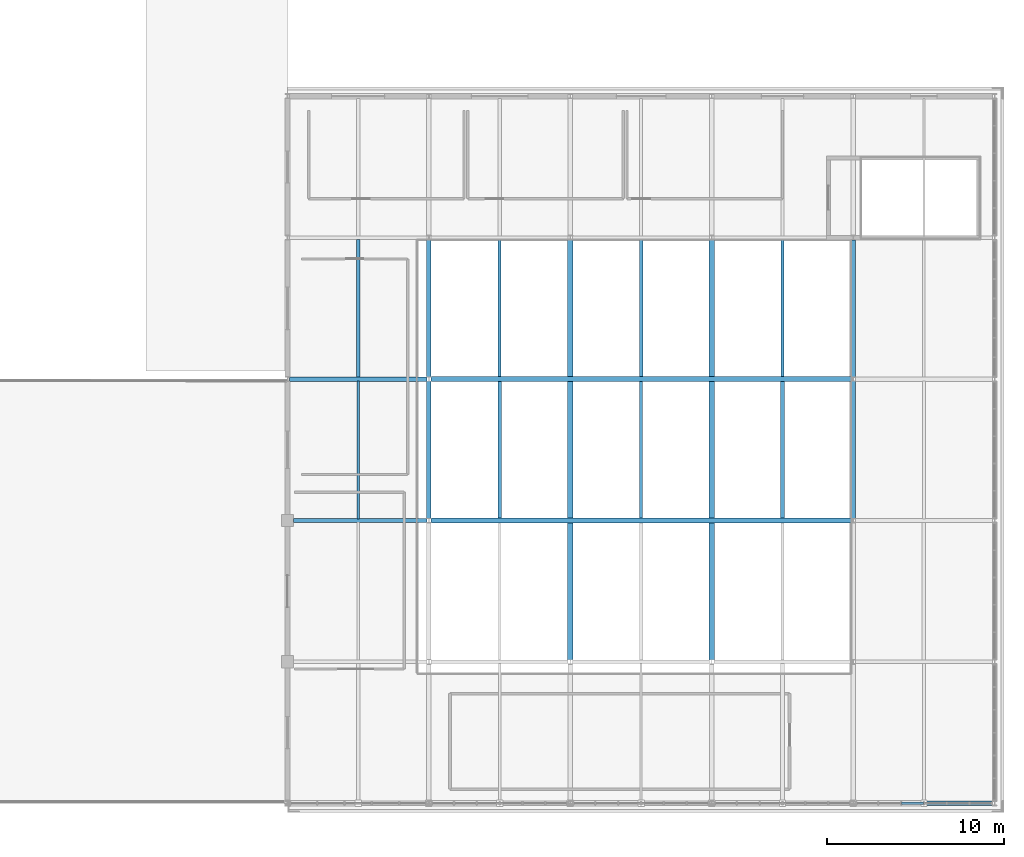
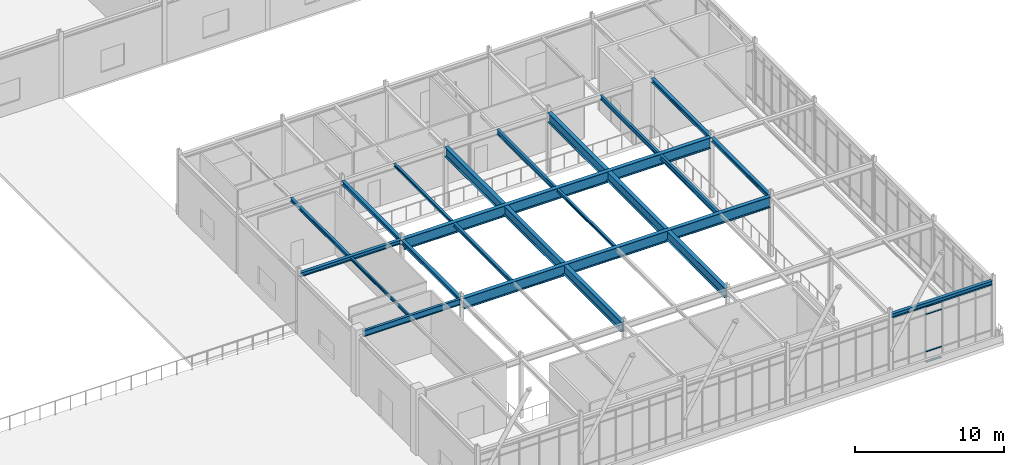
# One storey, part 51 of 108: 19 beams, 4 members, 1 element without a shape of its own.
"""IFC4 building model written with IfcOpenShell, lengths in metres."""

from ifc_helpers import new_model, si_unit, direction, frame, origin, origin_2d, place, context, subcontext, project, spatial, rectangle, i_section, extrude, material, material_profile, profile_set, type_object, element, aggregate, save


model = new_model("IFC4")

# Units and contexts
model_context = context("Model", 3, precision=1e-05, world=origin(), true_north=direction((0.0, 1.0)))
body_context = subcontext(model_context, "Body", "Model", "MODEL_VIEW")
ifc_project = project(units=[si_unit("LENGTHUNIT", "METRE"), si_unit("AREAUNIT", "SQUARE_METRE"), si_unit("VOLUMEUNIT", "CUBIC_METRE"), si_unit("PLANEANGLEUNIT", "RADIAN"), si_unit("MASSUNIT", "GRAM", prefix="KILO")], contexts=[model_context])

# Site, building, storey
site_placement = place(None, origin())
site = spatial("IfcSite", under=ifc_project, at=site_placement, CompositionType="ELEMENT")
building_placement = place(site_placement, origin())
building = spatial("IfcBuilding", under=site, at=building_placement, Name="Zhaolan Boulevard Law Courts", CompositionType="ELEMENT")
storey_placement = place(building_placement, frame((0.0, 0.0, 10.800048828125)))
storey = spatial("IfcBuildingStorey", under=building, at=storey_placement, Name="L02", CompositionType="ELEMENT", Elevation=10.800048828125)

# Curtain wall, members
ifc_material_1 = material(Name="Thermally broken aluminium and low-E glazing", Category="aluminium")
curtain_wall_type = type_object("IfcCurtainWallType", Name="CURTAIN WALL M14", PredefinedType="USERDEFINED", material=ifc_material_1)
curtain_wall_placement = place(storey_placement, origin())
curtain_wall = element("IfcCurtainWall", 1, at=curtain_wall_placement, inside=storey, type_object=curtain_wall_type, Name="Curtain Wall CW-L02-086", ObjectType="CURTAIN WALL", PredefinedType="USERDEFINED")
ifc_material_2 = material(Name="Fluorocarbon-coated aluminium 6063-T6", Category="aluminium")
ifc_material_profile_1 = material_profile(ifc_material_2, rectangle(XDim=0.139892578125, YDim=0.06494140625, at=origin_2d()), Name="AL65x140")
ifc_profile_set_1 = profile_set([ifc_material_profile_1], Name="Fluorocarbon-coated aluminium 6063-T6")
member_type = type_object("IfcMemberType", Name="CWTRANSOM 65X140", PredefinedType="USERDEFINED", material=ifc_profile_set_1)
member_1_placement = place(storey_placement, frame((158.741455078125, 6.0, 0.032470703125), z_axis=(1.0, 0.0, 0.0), x_axis=(0.0, 1.0, 0.0)))
member_1 = element("IfcMember", 2, at=member_1_placement, type_object=member_type, Name="CW-L02-086 transom 3.1", ObjectType="TRANSOM", PredefinedType="USERDEFINED", context=body_context, shape_type="SweptSolid", body=[
    extrude(rectangle(XDim=0.139892578125, YDim=0.06494140625, at=origin_2d()), origin(), (0.0, 0.0, 1.0), 1.22607421875),
])
member_2_placement = place(storey_placement, frame((158.741455078125, 6.0, 0.89990234375), z_axis=(1.0, 0.0, 0.0), x_axis=(0.0, 1.0, 0.0)))
member_2 = element("IfcMember", 3, at=member_2_placement, type_object=member_type, Name="CW-L02-086 transom 3.2", ObjectType="TRANSOM", PredefinedType="USERDEFINED", context=body_context, shape_type="SweptSolid", body=[
    extrude(rectangle(XDim=0.139892578125, YDim=0.06494140625, at=origin_2d()), origin(), (0.0, 0.0, 1.0), 1.22607421875),
])
member_3_placement = place(storey_placement, frame((158.741455078125, 6.0, 3.952880859375), z_axis=(1.0, 0.0, 0.0), x_axis=(0.0, 1.0, 0.0)))
member_3 = element("IfcMember", 4, at=member_3_placement, type_object=member_type, Name="CW-L02-086 transom 3.3", ObjectType="TRANSOM", PredefinedType="USERDEFINED", context=body_context, shape_type="SweptSolid", body=[
    extrude(rectangle(XDim=0.139892578125, YDim=0.06494140625, at=origin_2d()), origin(), (0.0, 0.0, 1.0), 1.22607421875),
])
member_4_placement = place(storey_placement, frame((158.741455078125, 6.0, 4.570556640625), z_axis=(1.0, 0.0, 0.0), x_axis=(0.0, 1.0, 0.0)))
member_4 = element("IfcMember", 5, at=member_4_placement, type_object=member_type, Name="CW-L02-086 transom 3.4", ObjectType="TRANSOM", PredefinedType="USERDEFINED", context=body_context, shape_type="SweptSolid", body=[
    extrude(rectangle(XDim=0.139892578125, YDim=0.06494140625, at=origin_2d()), origin(), (0.0, 0.0, 1.0), 1.22607421875),
])
aggregate(curtain_wall, [member_1, member_2, member_3, member_4])

# Beams
ifc_material_3 = material(Name="Structural steel Q355B", Category="steel")
ifc_material_profile_2 = material_profile(ifc_material_3, i_section(OverallWidth=0.25, OverallDepth=0.340087890625, WebThickness=0.009033203125, FlangeThickness=0.013916015625, FilletRadius=0.01611328125, at=origin_2d()), Name="HM340x250")
ifc_profile_set_2 = profile_set([ifc_material_profile_2], Name="Structural steel Q355B")
beam_type_1 = type_object("IfcBeamType", Name="GIRDER HM340", PredefinedType="BEAM", material=ifc_profile_set_2)
for number, where, z_axis, x_axis, name in (
    (6, (132.0, 22.12109375, 4.787841796875), (0.0, 1.0, 0.0), (-1.0, 0.0, 0.0), "Beam BY-L03-17-D-E"),
    (7, (132.0, 30.12109375, 4.787841796875), (0.0, 1.0, 0.0), (-1.0, 0.0, 0.0), "Beam BY-L03-17-E-F"),
    (8, (156.0, 22.12109375, 4.787841796875), (0.0, 1.0, 0.0), (-1.0, 0.0, 0.0), "Beam BY-L03-20-D-E"),
    (9, (156.0, 30.12109375, 4.787841796875), (0.0, 1.0, 0.0), (-1.0, 0.0, 0.0), "Beam BY-L03-20-E-F"),
):
    element("IfcBeam", number, at=place(storey_placement, frame(where, z_axis=z_axis, x_axis=x_axis)), inside=storey, type_object=beam_type_1, Name=name, PredefinedType="BEAM", context=body_context, shape_type="SweptSolid", body=[
        extrude(i_section(OverallWidth=0.25, OverallDepth=0.340087890625, WebThickness=0.009033203125, FlangeThickness=0.013916015625, FilletRadius=0.01611328125, at=origin_2d()), origin(), (0.0, 0.0, 1.0), 7.7578125),
    ])
ifc_material_4 = material(Name="Structural steel Q355B", Category="steel")
ifc_material_profile_3 = material_profile(ifc_material_4, i_section(OverallWidth=0.199951171875, OverallDepth=0.5, WebThickness=0.010009765625, FlangeThickness=0.01611328125, FilletRadius=0.01806640625, at=origin_2d()), Name="HN500x200")
ifc_profile_set_3 = profile_set([ifc_material_profile_3], Name="Structural steel Q355B")
beam_type_2 = type_object("IfcBeamType", Name="GIRDER HN500", PredefinedType="BEAM", material=ifc_profile_set_3)
beam_1_placement = place(storey_placement, frame((124.345947265625, 22.0, 4.7080078125), z_axis=(1.0, 0.0, 0.0), x_axis=(0.0, 1.0, 0.0)))
element("IfcBeam", 10, at=beam_1_placement, inside=storey, type_object=beam_type_2, Name="Beam BX-L03-16-17-D", PredefinedType="BEAM", context=body_context, shape_type="SweptSolid", body=[
    extrude(i_section(OverallWidth=0.199951171875, OverallDepth=0.5, WebThickness=0.010009765625, FlangeThickness=0.01611328125, FilletRadius=0.01806640625, at=origin_2d()), origin(), (0.0, 0.0, 1.0), 7.532958984375),
])
ifc_material_5 = material(Name="Structural steel Q390B", Category="steel")
ifc_material_profile_4 = material_profile(ifc_material_5, i_section(OverallWidth=0.300048828125, OverallDepth=0.800048828125, WebThickness=0.013916015625, FlangeThickness=0.02587890625, FilletRadius=0.02392578125, at=origin_2d()), Name="HN800x300")
ifc_profile_set_4 = profile_set([ifc_material_profile_4], Name="Structural steel Q390B")
beam_type_3 = type_object("IfcBeamType", Name="GIRDER HN800", PredefinedType="BEAM", material=ifc_profile_set_4)
for number, where, z_axis, x_axis, name in (
    (11, (140.0, 14.12109375, 4.557861328125), (0.0, 1.0, 0.0), (-1.0, 0.0, 0.0), "Beam BY-L03-18-C-F"),
    (12, (148.0, 14.12109375, 4.557861328125), (0.0, 1.0, 0.0), (-1.0, 0.0, 0.0), "Beam BY-L03-19-C-F"),
):
    element("IfcBeam", number, at=place(storey_placement, frame(where, z_axis=z_axis, x_axis=x_axis)), inside=storey, type_object=beam_type_3, Name=name, PredefinedType="BEAM", context=body_context, shape_type="SweptSolid", body=[
        extrude(i_section(OverallWidth=0.300048828125, OverallDepth=0.800048828125, WebThickness=0.013916015625, FlangeThickness=0.02587890625, FilletRadius=0.02392578125, at=origin_2d()), origin(), (0.0, 0.0, 1.0), 23.7578125),
    ])
ifc_material_6 = material(Name="Structural steel Q390B", Category="steel")
ifc_material_profile_5 = material_profile(ifc_material_6, i_section(OverallWidth=0.300048828125, OverallDepth=0.89990234375, WebThickness=0.01611328125, FlangeThickness=0.028076171875, FilletRadius=0.02587890625, at=origin_2d()), Name="HN900x300")
ifc_profile_set_5 = profile_set([ifc_material_profile_5], Name="Structural steel Q390B")
beam_type_4 = type_object("IfcBeamType", Name="GIRDER HN900", PredefinedType="BEAM", material=ifc_profile_set_5)
for number, where, z_axis, x_axis, name in (
    (13, (132.12109375, 22.0, 4.508056640625), (1.0, 0.0, 0.0), (0.0, 1.0, 0.0), "Beam BX-L03-17-20-D"),
    (14, (132.12109375, 30.0, 4.508056640625), (1.0, 0.0, 0.0), (0.0, 1.0, 0.0), "Beam BX-L03-17-20-E"),
):
    element("IfcBeam", number, at=place(storey_placement, frame(where, z_axis=z_axis, x_axis=x_axis)), inside=storey, type_object=beam_type_4, Name=name, PredefinedType="BEAM", context=body_context, shape_type="SweptSolid", body=[
        extrude(i_section(OverallWidth=0.300048828125, OverallDepth=0.89990234375, WebThickness=0.01611328125, FlangeThickness=0.028076171875, FilletRadius=0.02587890625, at=origin_2d()), origin(), (0.0, 0.0, 1.0), 23.7578125),
    ])
ifc_material_7 = material(Name="Structural steel Q355B", Category="steel")
ifc_material_profile_6 = material_profile(ifc_material_7, i_section(OverallWidth=0.175048828125, OverallDepth=0.243896484375, WebThickness=0.007080078125, FlangeThickness=0.010986328125, FilletRadius=0.012939453125, at=origin_2d()), Name="HM244x175")
ifc_profile_set_6 = profile_set([ifc_material_profile_6], Name="Structural steel Q355B")
beam_type_5 = type_object("IfcBeamType", Name="JOIST HM244", PredefinedType="JOIST", material=ifc_profile_set_6)
beam_2_placement = place(storey_placement, frame((136.0, 30.14599609375, 4.8359375), z_axis=(0.0, 1.0, 0.0), x_axis=(-1.0, 0.0, 0.0)))
element("IfcBeam", 15, at=beam_2_placement, inside=storey, type_object=beam_type_5, Name="Composite Joist J-L03-17E", PredefinedType="JOIST", context=body_context, shape_type="SweptSolid", body=[
    extrude(i_section(OverallWidth=0.175048828125, OverallDepth=0.243896484375, WebThickness=0.007080078125, FlangeThickness=0.010986328125, FilletRadius=0.012939453125, at=origin_2d()), origin(), (0.0, 0.0, 1.0), 7.758056640625),
])
beam_3_placement = place(storey_placement, frame((144.0, 22.14599609375, 4.8359375), z_axis=(0.0, 1.0, 0.0), x_axis=(-1.0, 0.0, 0.0)))
element("IfcBeam", 16, at=beam_3_placement, inside=storey, type_object=beam_type_5, Name="Composite Joist J-L03-18D", PredefinedType="JOIST", context=body_context, shape_type="SweptSolid", body=[
    extrude(i_section(OverallWidth=0.175048828125, OverallDepth=0.243896484375, WebThickness=0.007080078125, FlangeThickness=0.010986328125, FilletRadius=0.012939453125, at=origin_2d()), origin(), (0.0, 0.0, 1.0), 7.7080078125),
])
ifc_material_8 = material(Name="Structural steel Q355B", Category="steel")
ifc_material_profile_7 = material_profile(ifc_material_8, i_section(OverallWidth=0.199951171875, OverallDepth=0.2939453125, WebThickness=0.008056640625, FlangeThickness=0.011962890625, FilletRadius=0.01611328125, at=origin_2d()), Name="HM294x200")
ifc_profile_set_7 = profile_set([ifc_material_profile_7], Name="Structural steel Q355B")
beam_type_6 = type_object("IfcBeamType", Name="JOIST HM294", PredefinedType="JOIST", material=ifc_profile_set_7)
beam_4_placement = place(storey_placement, frame((128.0, 30.12109375, 4.81103515625), z_axis=(0.0, 1.0, 0.0), x_axis=(-1.0, 0.0, 0.0)))
element("IfcBeam", 17, at=beam_4_placement, inside=storey, type_object=beam_type_6, Name="Composite Joist J-L03-16E", PredefinedType="JOIST", context=body_context, shape_type="SweptSolid", body=[
    extrude(i_section(OverallWidth=0.199951171875, OverallDepth=0.2939453125, WebThickness=0.008056640625, FlangeThickness=0.011962890625, FilletRadius=0.01611328125, at=origin_2d()), origin(), (0.0, 0.0, 1.0), 7.782958984375),
])
beam_5_placement = place(storey_placement, frame((136.0, 22.14599609375, 4.81103515625), z_axis=(0.0, 1.0, 0.0), x_axis=(-1.0, 0.0, 0.0)))
element("IfcBeam", 18, at=beam_5_placement, inside=storey, type_object=beam_type_6, Name="Composite Joist J-L03-17D", PredefinedType="JOIST", context=body_context, shape_type="SweptSolid", body=[
    extrude(i_section(OverallWidth=0.199951171875, OverallDepth=0.2939453125, WebThickness=0.008056640625, FlangeThickness=0.011962890625, FilletRadius=0.01611328125, at=origin_2d()), origin(), (0.0, 0.0, 1.0), 7.7080078125),
])
ifc_material_9 = material(Name="Structural steel Q355B", Category="steel")
ifc_material_profile_8 = material_profile(ifc_material_9, i_section(OverallWidth=0.125, OverallDepth=0.25, WebThickness=0.006103515625, FlangeThickness=0.009033203125, FilletRadius=0.010009765625, at=origin_2d()), Name="HN250x125")
ifc_profile_set_8 = profile_set([ifc_material_profile_8], Name="Structural steel Q355B")
beam_type_7 = type_object("IfcBeamType", Name="JOIST HN250", PredefinedType="JOIST", material=ifc_profile_set_8)
beam_6_placement = place(storey_placement, frame((128.0, 22.095947265625, 4.8330078125), z_axis=(0.0, 1.0, 0.0), x_axis=(-1.0, 0.0, 0.0)))
element("IfcBeam", 19, at=beam_6_placement, inside=storey, type_object=beam_type_7, Name="Composite Joist J-L03-16D", PredefinedType="JOIST", context=body_context, shape_type="SweptSolid", body=[
    extrude(i_section(OverallWidth=0.125, OverallDepth=0.25, WebThickness=0.006103515625, FlangeThickness=0.009033203125, FilletRadius=0.010009765625, at=origin_2d()), origin(), (0.0, 0.0, 1.0), 7.782958984375),
])
ifc_material_10 = material(Name="Structural steel Q355B", Category="steel")
ifc_material_profile_9 = material_profile(ifc_material_10, i_section(OverallWidth=0.175048828125, OverallDepth=0.35009765625, WebThickness=0.007080078125, FlangeThickness=0.010986328125, FilletRadius=0.012939453125, at=origin_2d()), Name="HN350x175")
ifc_profile_set_9 = profile_set([ifc_material_profile_9], Name="Structural steel Q355B")
beam_type_8 = type_object("IfcBeamType", Name="JOIST HN350", PredefinedType="JOIST", material=ifc_profile_set_9)
beam_7_placement = place(storey_placement, frame((152.0, 30.14599609375, 4.782958984375), z_axis=(0.0, 1.0, 0.0), x_axis=(-1.0, 0.0, 0.0)))
element("IfcBeam", 20, at=beam_7_placement, inside=storey, type_object=beam_type_8, Name="Composite Joist J-L03-19E", PredefinedType="JOIST", context=body_context, shape_type="SweptSolid", body=[
    extrude(i_section(OverallWidth=0.175048828125, OverallDepth=0.35009765625, WebThickness=0.007080078125, FlangeThickness=0.010986328125, FilletRadius=0.012939453125, at=origin_2d()), origin(), (0.0, 0.0, 1.0), 7.758056640625),
])
ifc_material_11 = material(Name="Structural steel Q355B", Category="steel")
ifc_material_profile_10 = material_profile(ifc_material_11, i_section(OverallWidth=0.199951171875, OverallDepth=0.39990234375, WebThickness=0.008056640625, FlangeThickness=0.012939453125, FilletRadius=0.013916015625, at=origin_2d()), Name="HN400x200")
ifc_profile_set_10 = profile_set([ifc_material_profile_10], Name="Structural steel Q355B")
beam_type_9 = type_object("IfcBeamType", Name="JOIST HN400", PredefinedType="JOIST", material=ifc_profile_set_10)
beam_8_placement = place(storey_placement, frame((144.0, 30.14599609375, 4.758056640625), z_axis=(0.0, 1.0, 0.0), x_axis=(-1.0, 0.0, 0.0)))
element("IfcBeam", 21, at=beam_8_placement, inside=storey, type_object=beam_type_9, Name="Composite Joist J-L03-18E", PredefinedType="JOIST", context=body_context, shape_type="SweptSolid", body=[
    extrude(i_section(OverallWidth=0.199951171875, OverallDepth=0.39990234375, WebThickness=0.008056640625, FlangeThickness=0.012939453125, FilletRadius=0.013916015625, at=origin_2d()), origin(), (0.0, 0.0, 1.0), 7.758056640625),
])
beam_9_placement = place(storey_placement, frame((152.0, 22.14599609375, 4.758056640625), z_axis=(0.0, 1.0, 0.0), x_axis=(-1.0, 0.0, 0.0)))
element("IfcBeam", 22, at=beam_9_placement, inside=storey, type_object=beam_type_9, Name="Composite Joist J-L03-19D", PredefinedType="JOIST", context=body_context, shape_type="SweptSolid", body=[
    extrude(i_section(OverallWidth=0.199951171875, OverallDepth=0.39990234375, WebThickness=0.008056640625, FlangeThickness=0.012939453125, FilletRadius=0.013916015625, at=origin_2d()), origin(), (0.0, 0.0, 1.0), 7.7080078125),
])
ifc_material_12 = material(Name="Structural steel Q355B", Category="steel")
ifc_material_profile_11 = material_profile(ifc_material_12, i_section(OverallWidth=0.25, OverallDepth=0.340087890625, WebThickness=0.009033203125, FlangeThickness=0.013916015625, FilletRadius=0.01611328125, at=origin_2d()), Name="HM340x250")
ifc_profile_set_11 = profile_set([ifc_material_profile_11], Name="Structural steel Q355B")
beam_type_10 = type_object("IfcBeamType", Name="SPANDREL HM340", PredefinedType="SPANDREL", material=ifc_profile_set_11)
for number, where, z_axis, x_axis, name in (
    (23, (156.12109375, 6.0, 4.787841796875), (1.0, 0.0, 0.0), (0.0, 1.0, 0.0), "Beam BX-L03-20-21-B"),
    (24, (124.12109375, 30.0, 4.787841796875), (1.0, 0.0, 0.0), (0.0, 1.0, 0.0), "Beam BX-L03-16-17-E"),
):
    element("IfcBeam", number, at=place(storey_placement, frame(where, z_axis=z_axis, x_axis=x_axis)), inside=storey, type_object=beam_type_10, Name=name, PredefinedType="SPANDREL", context=body_context, shape_type="SweptSolid", body=[
        extrude(i_section(OverallWidth=0.25, OverallDepth=0.340087890625, WebThickness=0.009033203125, FlangeThickness=0.013916015625, FilletRadius=0.01611328125, at=origin_2d()), origin(), (0.0, 0.0, 1.0), 7.7578125),
    ])

save(model, "model.ifc")
